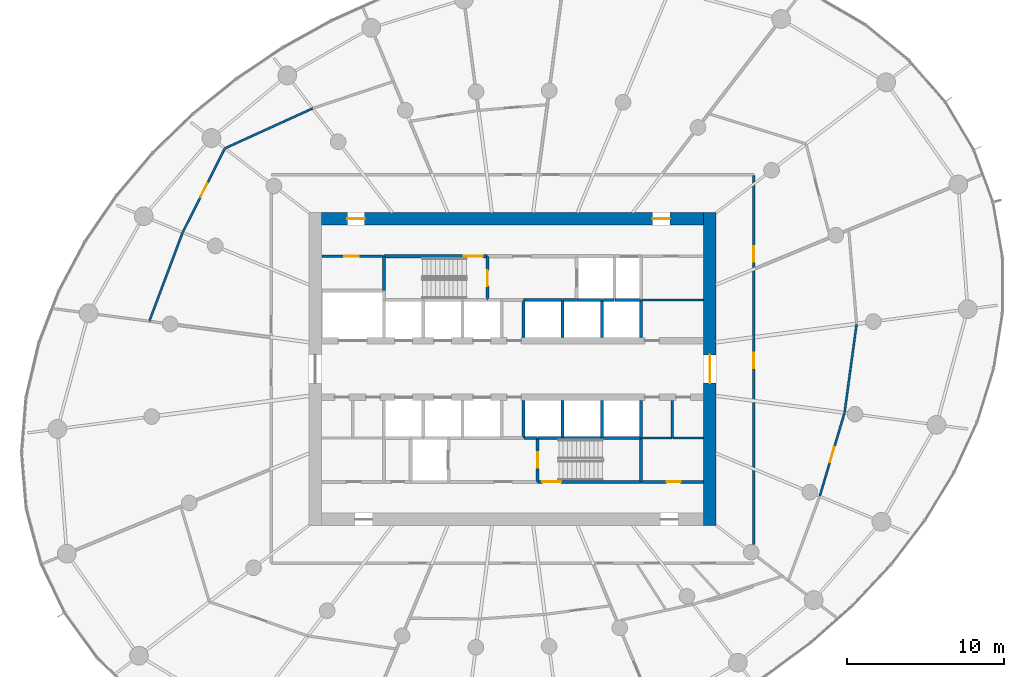
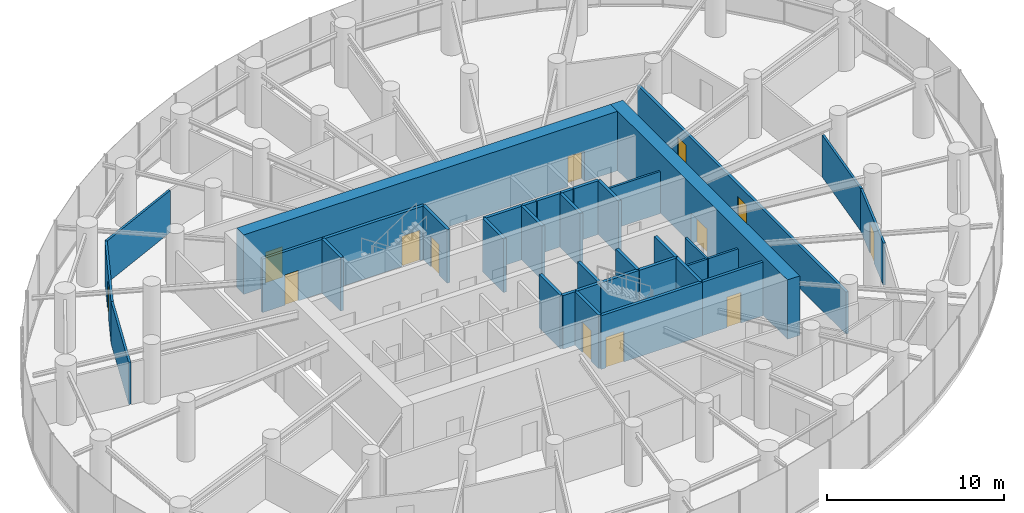
# One storey, part 12 of 17: 37 walls, 13 doors, 13 openings.
"""IFC4 building model written with IfcOpenShell, lengths in metres."""

from ifc_helpers import new_model, si_unit, direction, frame, frame_2d, origin, place, context, subcontext, project, spatial, rectangle, extrude, source, transform, mapped, material, layer, layer_set, type_object, element, fill, save


model = new_model("IFC4")

# Units and contexts
model_context = context("Model", 3, precision=1e-05, world=origin(), true_north=direction((0.0, 1.0)))
body_context = subcontext(model_context, "Body", "Model", "MODEL_VIEW")
ifc_project = project(units=[si_unit("LENGTHUNIT", "METRE"), si_unit("AREAUNIT", "SQUARE_METRE"), si_unit("VOLUMEUNIT", "CUBIC_METRE"), si_unit("PLANEANGLEUNIT", "RADIAN"), si_unit("MASSUNIT", "GRAM", prefix="KILO")], contexts=[model_context])

# Site, building, storey
site_placement = place(None, origin())
site = spatial("IfcSite", under=ifc_project, at=site_placement, CompositionType="ELEMENT")
building_placement = place(site_placement, origin())
building = spatial("IfcBuilding", under=site, at=building_placement, Name="Spindrift Exchange Tower", CompositionType="ELEMENT")
storey_placement = place(building_placement, frame((0.0, 0.0, 96.199951171875)))
storey = spatial("IfcBuildingStorey", under=building, at=storey_placement, Name="L22", CompositionType="ELEMENT", Elevation=96.199951171875)

# Wall, opening, door
ifc_material_1 = material(Name="Concrete 65 MPa", Category="concrete")
ifc_layer_1 = layer(ifc_material_1, 0.800048828125)
ifc_layer_set_1 = layer_set([ifc_layer_1], Name="RC Core Wall 800 Concrete 65 MPa")
wall_type_1 = type_object("IfcWallType", Name="RC Core Wall 800 Concrete 65 MPa", PredefinedType="SHEAR", material=ifc_layer_set_1)
wall_1_placement = place(storey_placement, frame((64.60009765625, 38.0, 0.0), z_axis=(0.0, 0.0, 1.0), x_axis=(0.0, 1.0, 0.0)))
wall_1 = element("IfcWall", 1, at=wall_1_placement, inside=storey, type_object=wall_type_1, Name="Core wall E L22", PredefinedType="SHEAR", context=body_context, shape_type="SweptSolid", body=[
    extrude(rectangle(XDim=20.0, YDim=0.800048828125, at=frame_2d((10.0, 0.0))), origin(), (0.0, 0.0, 1.0), 4.10009765625),
])
opening_1_placement = place(wall_1_placement, frame((9.10009765625, 0.0, 0.0)))
opening_1 = element("IfcOpeningElement", 2, at=opening_1_placement, cuts=wall_1, Name="Opening L22-D2", PredefinedType="OPENING", context=body_context, shape_type="SweptSolid", body=[
    extrude(rectangle(XDim=1.800048828125, YDim=2.10009765625, at=frame_2d((0.89990234375, 1.050048828125))), frame((0.0, 0.409912109375, 0.0), z_axis=(0.0, -1.0, 0.0), x_axis=(1.0, 0.0, 0.0)), (0.0, 0.0, 1.0), 0.820068359375),
])
ifc_material_2 = material(Name="Timber-core fire door", Category="wood")
door_type_1 = type_object("IfcDoorType", Name="DR-LOBBY-1800", OperationType="NOTDEFINED", PredefinedType="DOOR", material=ifc_material_2)
shared_shape_1 = source(origin(), body_context, "Body", "SweptSolid", [
    extrude(rectangle(XDim=1.800048828125, YDim=2.10009765625, at=frame_2d((0.89990234375, 1.050048828125))), frame((0.0, 0.02490234375, 0.0), z_axis=(0.0, -1.0, 0.0), x_axis=(1.0, 0.0, 0.0)), (0.0, 0.0, 1.0), 0.050048828125),
])
door_1_placement = place(opening_1_placement, origin())
door_1 = element("IfcDoor", 3, at=door_1_placement, inside=storey, type_object=door_type_1, Name="L22 Lobby door 2", OperationType="SINGLE_SWING_LEFT", OverallHeight=2.10009765625, OverallWidth=1.800048828125, PredefinedType="DOOR", context=body_context, shape_type="MappedRepresentation", body=[
    mapped(shared_shape_1, transform((0.0, 0.0, 0.0), scale=1.0)),
])
fill(opening_1, door_1)

# Wall, openings, doors
wall_2_placement = place(storey_placement, frame((64.199951171875, 57.60009765625, 0.0), z_axis=(0.0, 0.0, 1.0), x_axis=(-1.0, 0.0, 0.0)))
wall_2 = element("IfcWall", 4, at=wall_2_placement, inside=storey, type_object=wall_type_1, Name="Core wall N L22", PredefinedType="SHEAR", context=body_context, shape_type="SweptSolid", body=[
    extrude(rectangle(XDim=24.39990234375, YDim=0.800048828125, at=frame_2d((12.199951171875, 0.0))), origin(), (0.0, 0.0, 1.0), 4.10009765625),
])
opening_2_placement = place(wall_2_placement, frame((21.64990234375, 0.0, 0.0)))
opening_2 = element("IfcOpeningElement", 5, at=opening_2_placement, cuts=wall_2, Name="Opening L22-D20", PredefinedType="OPENING", context=body_context, shape_type="SweptSolid", body=[
    extrude(rectangle(XDim=1.10009765625, YDim=2.10009765625, at=frame_2d((0.550048828125, 1.050048828125))), frame((0.0, 0.409912109375, 0.0), z_axis=(0.0, -1.0, 0.0), x_axis=(1.0, 0.0, 0.0)), (0.0, 0.0, 1.0), 0.820068359375),
])
opening_3_placement = place(wall_2_placement, frame((2.14990234375, 0.0, 0.0)))
opening_3 = element("IfcOpeningElement", 6, at=opening_3_placement, cuts=wall_2, Name="Opening L22-D21", PredefinedType="OPENING", context=body_context, shape_type="SweptSolid", body=[
    extrude(rectangle(XDim=1.10009765625, YDim=2.10009765625, at=frame_2d((0.550048828125, 1.050048828125))), frame((0.0, 0.409912109375, 0.0), z_axis=(0.0, -1.0, 0.0), x_axis=(1.0, 0.0, 0.0)), (0.0, 0.0, 1.0), 0.820068359375),
])
ifc_material_3 = material(Name="Steel fire door", Category="steel")
door_type_2 = type_object("IfcDoorType", Name="DR-STAIR-1100", OperationType="NOTDEFINED", PredefinedType="DOOR", material=ifc_material_3)
shared_shape_2 = source(origin(), body_context, "Body", "SweptSolid", [
    extrude(rectangle(XDim=1.10009765625, YDim=2.10009765625, at=frame_2d((0.550048828125, 1.050048828125))), frame((0.0, 0.02490234375, 0.0), z_axis=(0.0, -1.0, 0.0), x_axis=(1.0, 0.0, 0.0)), (0.0, 0.0, 1.0), 0.050048828125),
])
door_2_placement = place(opening_2_placement, origin())
door_2 = element("IfcDoor", 7, at=door_2_placement, inside=storey, type_object=door_type_2, Name="L22 Stair door 20", OperationType="SINGLE_SWING_LEFT", OverallHeight=2.10009765625, OverallWidth=1.10009765625, PredefinedType="DOOR", context=body_context, shape_type="MappedRepresentation", body=[
    mapped(shared_shape_2, transform((0.0, 0.0, 0.0), scale=1.0)),
])
fill(opening_2, door_2)
door_3_placement = place(opening_3_placement, origin())
door_3 = element("IfcDoor", 8, at=door_3_placement, inside=storey, type_object=door_type_2, Name="L22 Stair door 21", OperationType="SINGLE_SWING_RIGHT", OverallHeight=2.10009765625, OverallWidth=1.10009765625, PredefinedType="DOOR", context=body_context, shape_type="MappedRepresentation", body=[
    mapped(shared_shape_2, transform((0.0, 0.0, 0.0), scale=1.0)),
])
fill(opening_3, door_3)

ifc_material_4 = material(Name="Fire-rated plasterboard partition", Category="gypsum")
ifc_layer_2 = layer(ifc_material_4, 0.179931640625)
ifc_layer_set_2 = layer_set([ifc_layer_2], Name="W-CORR-180")
wall_type_2 = type_object("IfcWallType", Name="W-CORR-180", PredefinedType="PARTITIONING", material=ifc_layer_set_2)
wall_3_placement = place(storey_placement, frame((67.39990234375, 60.3701171875, 0.0), z_axis=(0.0, 0.0, 1.0), x_axis=(0.0, -1.0, 0.0)))
wall_3 = element("IfcWall", 9, at=wall_3_placement, inside=storey, type_object=wall_type_2, Name="L22 Partition wall 59", PredefinedType="PARTITIONING", context=body_context, shape_type="SweptSolid", body=[
    extrude(rectangle(XDim=23.58251953125, YDim=0.179931640625, at=frame_2d((11.791259765625, 0.0))), origin(), (0.0, 0.0, 1.0), 2.900146484375),
])
opening_4_placement = place(wall_3_placement, frame((11.33251953125, 0.0, 0.0)))
opening_4 = element("IfcOpeningElement", 10, at=opening_4_placement, cuts=wall_3, Name="Opening L22-D27", PredefinedType="OPENING", context=body_context, shape_type="SweptSolid", body=[
    extrude(rectangle(XDim=1.0, YDim=2.10009765625, at=frame_2d((0.5, 1.050048828125))), frame((0.0, 0.099853515625, 0.0), z_axis=(0.0, -1.0, 0.0), x_axis=(1.0, 0.0, 0.0)), (0.0, 0.0, 1.0), 0.199951171875),
])
opening_5_placement = place(wall_3_placement, frame((4.532470703125, 0.0, 0.0)))
opening_5 = element("IfcOpeningElement", 11, at=opening_5_placement, cuts=wall_3, Name="Opening L22-D30", PredefinedType="OPENING", context=body_context, shape_type="SweptSolid", body=[
    extrude(rectangle(XDim=1.0, YDim=2.10009765625, at=frame_2d((0.5, 1.050048828125))), frame((0.0, 0.099853515625, 0.0), z_axis=(0.0, -1.0, 0.0), x_axis=(1.0, 0.0, 0.0)), (0.0, 0.0, 1.0), 0.199951171875),
])
door_type_3 = type_object("IfcDoorType", Name="DR-ROOM-1000", OperationType="NOTDEFINED", PredefinedType="DOOR", material=ifc_material_2)
shared_shape_3 = source(origin(), body_context, "Body", "SweptSolid", [
    extrude(rectangle(XDim=1.0, YDim=2.10009765625, at=frame_2d((0.5, 1.050048828125))), frame((0.0, 0.02490234375, 0.0), z_axis=(0.0, -1.0, 0.0), x_axis=(1.0, 0.0, 0.0)), (0.0, 0.0, 1.0), 0.050048828125),
])
door_4_placement = place(opening_4_placement, origin())
door_4 = element("IfcDoor", 12, at=door_4_placement, inside=storey, type_object=door_type_3, Name="L22 Door 27", OperationType="SINGLE_SWING_RIGHT", OverallHeight=2.10009765625, OverallWidth=1.0, PredefinedType="DOOR", context=body_context, shape_type="MappedRepresentation", body=[
    mapped(shared_shape_3, transform((0.0, 0.0, 0.0), scale=1.0)),
])
fill(opening_4, door_4)
door_5_placement = place(opening_5_placement, origin())
door_5 = element("IfcDoor", 13, at=door_5_placement, inside=storey, type_object=door_type_3, Name="L22 Door 30", OperationType="SINGLE_SWING_LEFT", OverallHeight=2.10009765625, OverallWidth=1.0, PredefinedType="DOOR", context=body_context, shape_type="MappedRepresentation", body=[
    mapped(shared_shape_3, transform((0.0, 0.0, 0.0), scale=1.0)),
])
fill(opening_5, door_5)

# Wall, opening, door
wall_4_placement = place(storey_placement, frame((60.22998046875, 40.800048828125, 0.0), z_axis=(0.0, 0.0, 1.0), x_axis=(1.0, 0.0, 0.0)))
wall_4 = element("IfcWall", 14, at=wall_4_placement, inside=storey, type_object=wall_type_2, Name="L22 Partition wall 61", PredefinedType="PARTITIONING", context=body_context, shape_type="SweptSolid", body=[
    extrude(rectangle(XDim=3.949951171875, YDim=0.179931640625, at=frame_2d((1.97509765625, 0.0))), origin(), (0.0, 0.0, 1.0), 3.699951171875),
])
opening_6_placement = place(wall_4_placement, frame((1.60009765625, 0.0, 0.0)))
opening_6 = element("IfcOpeningElement", 15, at=opening_6_placement, cuts=wall_4, Name="Opening L22-D49", PredefinedType="OPENING", context=body_context, shape_type="SweptSolid", body=[
    extrude(rectangle(XDim=0.89990234375, YDim=2.10009765625, at=frame_2d((0.449951171875, 1.050048828125))), frame((0.0, 0.099853515625, 0.0), z_axis=(0.0, -1.0, 0.0), x_axis=(1.0, 0.0, 0.0)), (0.0, 0.0, 1.0), 0.199951171875),
])
ifc_material_5 = material(Name="Steel access door", Category="steel")
door_type_4 = type_object("IfcDoorType", Name="DR-RISER-900", OperationType="NOTDEFINED", PredefinedType="DOOR", material=ifc_material_5)
shared_shape_4 = source(origin(), body_context, "Body", "SweptSolid", [
    extrude(rectangle(XDim=0.89990234375, YDim=2.10009765625, at=frame_2d((0.449951171875, 1.050048828125))), frame((0.0, 0.02490234375, 0.0), z_axis=(0.0, -1.0, 0.0), x_axis=(1.0, 0.0, 0.0)), (0.0, 0.0, 1.0), 0.050048828125),
])
door_6_placement = place(opening_6_placement, origin())
door_6 = element("IfcDoor", 16, at=door_6_placement, inside=storey, type_object=door_type_4, Name="L22 Riser door 49", OperationType="SINGLE_SWING_RIGHT", OverallHeight=2.10009765625, OverallWidth=0.89990234375, PredefinedType="DOOR", context=body_context, shape_type="MappedRepresentation", body=[
    mapped(shared_shape_4, transform((0.0, 0.0, 0.0), scale=1.0)),
])
fill(opening_6, door_6)

wall_5_placement = place(storey_placement, frame((43.77001953125, 55.199951171875, 0.0), z_axis=(0.0, 0.0, 1.0), x_axis=(-1.0, 0.0, 0.0)))
wall_5 = element("IfcWall", 17, at=wall_5_placement, inside=storey, type_object=wall_type_2, Name="L22 Partition wall 64", PredefinedType="PARTITIONING", context=body_context, shape_type="SweptSolid", body=[
    extrude(rectangle(XDim=3.949951171875, YDim=0.179931640625, at=frame_2d((1.97509765625, 0.0))), origin(), (0.0, 0.0, 1.0), 3.699951171875),
])
opening_7_placement = place(wall_5_placement, frame((1.60009765625, 0.0, 0.0)))
opening_7 = element("IfcOpeningElement", 18, at=opening_7_placement, cuts=wall_5, Name="Opening L22-D43", PredefinedType="OPENING", context=body_context, shape_type="SweptSolid", body=[
    extrude(rectangle(XDim=0.89990234375, YDim=2.10009765625, at=frame_2d((0.449951171875, 1.050048828125))), frame((0.0, 0.099853515625, 0.0), z_axis=(0.0, -1.0, 0.0), x_axis=(1.0, 0.0, 0.0)), (0.0, 0.0, 1.0), 0.199951171875),
])
door_7_placement = place(opening_7_placement, origin())
door_7 = element("IfcDoor", 19, at=door_7_placement, inside=storey, type_object=door_type_4, Name="L22 Riser door 43", OperationType="SINGLE_SWING_RIGHT", OverallHeight=2.10009765625, OverallWidth=0.89990234375, PredefinedType="DOOR", context=body_context, shape_type="MappedRepresentation", body=[
    mapped(shared_shape_4, transform((0.0, 0.0, 0.0), scale=1.0)),
])
fill(opening_7, door_7)

# Walls
ifc_layer_3 = layer(ifc_material_4, 0.139892578125)
ifc_layer_set_3 = layer_set([ifc_layer_3], Name="W-PART-140")
wall_type_3 = type_object("IfcWallType", Name="W-PART-140", PredefinedType="PARTITIONING", material=ifc_layer_set_3)
wall_6_placement = place(storey_placement, frame((64.179931640625, 52.39990234375, 0.0), z_axis=(0.0, 0.0, 1.0), x_axis=(-1.0, 0.0, 0.0)))
element("IfcWall", 20, at=wall_6_placement, inside=storey, type_object=wall_type_3, Name="L22 Partition wall 99", PredefinedType="PARTITIONING", context=body_context, shape_type="SweptSolid", body=[
    extrude(rectangle(XDim=3.949951171875, YDim=0.139892578125, at=frame_2d((1.97509765625, 0.0))), origin(), (0.0, 0.0, 1.0), 2.900146484375),
])
wall_7_placement = place(storey_placement, frame((62.199951171875, 43.60009765625, 0.0), z_axis=(0.0, 0.0, 1.0), x_axis=(0.0, 1.0, 0.0)))
element("IfcWall", 21, at=wall_7_placement, inside=storey, type_object=wall_type_3, Name="L22 Partition wall 107", PredefinedType="PARTITIONING", context=body_context, shape_type="SweptSolid", body=[
    extrude(rectangle(XDim=2.389892578125, YDim=0.139892578125, at=frame_2d((1.19482421875, 0.0))), origin(), (0.0, 0.0, 1.0), 2.900146484375),
])
wall_8_placement = place(storey_placement, frame((60.22998046875, 43.60009765625, 0.0), z_axis=(0.0, 0.0, 1.0), x_axis=(1.0, 0.0, 0.0)))
element("IfcWall", 22, at=wall_8_placement, inside=storey, type_object=wall_type_3, Name="L22 Partition wall 109", PredefinedType="PARTITIONING", context=body_context, shape_type="SweptSolid", body=[
    extrude(rectangle(XDim=1.93994140625, YDim=0.139892578125, at=frame_2d((0.969970703125, 0.0))), origin(), (0.0, 0.0, 1.0), 2.900146484375),
])
wall_9_placement = place(storey_placement, frame((62.22998046875, 43.60009765625, 0.0), z_axis=(0.0, 0.0, 1.0), x_axis=(1.0, 0.0, 0.0)))
element("IfcWall", 23, at=wall_9_placement, inside=storey, type_object=wall_type_3, Name="L22 Partition wall 110", PredefinedType="PARTITIONING", context=body_context, shape_type="SweptSolid", body=[
    extrude(rectangle(XDim=1.949951171875, YDim=0.139892578125, at=frame_2d((0.97509765625, 0.0))), origin(), (0.0, 0.0, 1.0), 2.900146484375),
])
ifc_layer_4 = layer(ifc_material_4, 0.139892578125)
ifc_layer_set_4 = layer_set([ifc_layer_4], Name="W-PLANT-140")
wall_type_4 = type_object("IfcWallType", Name="W-PLANT-140", PredefinedType="PARTITIONING", material=ifc_layer_set_4)
wall_10_placement = place(storey_placement, frame((39.23388671875, 64.63720703125, 0.0), z_axis=(0.0, 0.0, 1.0), x_axis=(-0.910171936686, -0.414230667224, 0.0)))
element("IfcWall", 24, at=wall_10_placement, inside=storey, type_object=wall_type_4, Name="L22 Partition wall 72", PredefinedType="PARTITIONING", context=body_context, shape_type="SweptSolid", body=[
    extrude(rectangle(XDim=6.14892578125, YDim=0.139892578125, at=frame_2d((3.074462890625, 0.0))), origin(), (0.0, 0.0, 1.0), 2.900146484375),
])
wall_11_placement = place(storey_placement, frame((30.94091796875, 56.722900390625, 0.0), z_axis=(0.0, 0.0, 1.0), x_axis=(-0.351569554584, -0.936161763954, 0.0)))
element("IfcWall", 25, at=wall_11_placement, inside=storey, type_object=wall_type_4, Name="L22 Partition wall 73", PredefinedType="PARTITIONING", context=body_context, shape_type="SweptSolid", body=[
    extrude(rectangle(XDim=6.056884765625, YDim=0.139892578125, at=frame_2d((3.0283203125, 0.0))), origin(), (0.0, 0.0, 1.0), 2.900146484375),
])

# Wall, opening, door
wall_12_placement = place(storey_placement, frame((30.954345703125, 56.749755859375, 0.0), z_axis=(0.0, 0.0, 1.0), x_axis=(0.448904295409, 0.89357984174, 0.0)))
wall_12 = element("IfcWall", 26, at=wall_12_placement, inside=storey, type_object=wall_type_4, Name="L22 Partition wall 76", PredefinedType="PARTITIONING", context=body_context, shape_type="SweptSolid", body=[
    extrude(rectangle(XDim=5.946533203125, YDim=0.139892578125, at=frame_2d((2.97314453125, 0.0))), origin(), (0.0, 0.0, 1.0), 2.900146484375),
])
opening_8_placement = place(wall_12_placement, frame((2.49658203125, 0.0, 0.0)))
opening_8 = element("IfcOpeningElement", 27, at=opening_8_placement, cuts=wall_12, Name="Opening L22-D37", PredefinedType="OPENING", context=body_context, shape_type="SweptSolid", body=[
    extrude(rectangle(XDim=1.0, YDim=2.10009765625, at=frame_2d((0.5, 1.050048828125))), frame((0.0, 0.079833984375, 0.0), z_axis=(0.0, -1.0, 0.0), x_axis=(1.0, 0.0, 0.0)), (0.0, 0.0, 1.0), 0.159912109375),
])
door_8_placement = place(opening_8_placement, origin())
door_8 = element("IfcDoor", 28, at=door_8_placement, inside=storey, type_object=door_type_3, Name="L22 Door 37", OperationType="SINGLE_SWING_RIGHT", OverallHeight=2.10009765625, OverallWidth=1.0, PredefinedType="DOOR", context=body_context, shape_type="MappedRepresentation", body=[
    mapped(shared_shape_3, transform((0.0, 0.0, 0.0), scale=1.0)),
])
fill(opening_8, door_8)

# Wall
wall_13_placement = place(storey_placement, frame((73.19384765625, 45.209716796875, 0.0), z_axis=(0.0, 0.0, 1.0), x_axis=(0.134605146381, 0.99089931606, 0.0)))
element("IfcWall", 29, at=wall_13_placement, inside=storey, type_object=wall_type_4, Name="L22 Partition wall 80", PredefinedType="PARTITIONING", context=body_context, shape_type="SweptSolid", body=[
    extrude(rectangle(XDim=5.704345703125, YDim=0.139892578125, at=frame_2d((2.85205078125, 0.0))), origin(), (0.0, 0.0, 1.0), 2.900146484375),
])

# Wall, opening, door
wall_14_placement = place(storey_placement, frame((73.185302734375, 45.18115234375, 0.0), z_axis=(0.0, 0.0, 1.0), x_axis=(-0.284737802329, -0.958605437041, 0.0)))
wall_14 = element("IfcWall", 30, at=wall_14_placement, inside=storey, type_object=wall_type_4, Name="L22 Partition wall 83", PredefinedType="PARTITIONING", context=body_context, shape_type="SweptSolid", body=[
    extrude(rectangle(XDim=5.5029296875, YDim=0.139892578125, at=frame_2d((2.75146484375, 0.0))), origin(), (0.0, 0.0, 1.0), 2.900146484375),
])
opening_9_placement = place(wall_14_placement, frame((2.252685546875, 0.0, 0.0)))
opening_9 = element("IfcOpeningElement", 31, at=opening_9_placement, cuts=wall_14, Name="Opening L22-D28", PredefinedType="OPENING", context=body_context, shape_type="SweptSolid", body=[
    extrude(rectangle(XDim=1.0, YDim=2.10009765625, at=frame_2d((0.5, 1.050048828125))), frame((0.0, 0.079833984375, 0.0), z_axis=(0.0, -1.0, 0.0), x_axis=(1.0, 0.0, 0.0)), (0.0, 0.0, 1.0), 0.159912109375),
])
door_9_placement = place(opening_9_placement, origin())
door_9 = element("IfcDoor", 32, at=door_9_placement, inside=storey, type_object=door_type_3, Name="L22 Door 28", OperationType="SINGLE_SWING_LEFT", OverallHeight=2.10009765625, OverallWidth=1.0, PredefinedType="DOOR", context=body_context, shape_type="MappedRepresentation", body=[
    mapped(shared_shape_3, transform((0.0, 0.0, 0.0), scale=1.0)),
])
fill(opening_9, door_9)

# Walls
ifc_material_6 = material(Name="Concrete 40 MPa", Category="concrete")
ifc_layer_5 = layer(ifc_material_6, 0.199951171875)
ifc_layer_set_5 = layer_set([ifc_layer_5], Name="W-SHAFT-200")
wall_type_5 = type_object("IfcWallType", Name="W-SHAFT-200", PredefinedType="SOLIDWALL", material=ifc_layer_set_5)
wall_15_placement = place(storey_placement, frame((55.199951171875, 52.39990234375, 0.0), z_axis=(0.0, 0.0, 1.0), x_axis=(-1.0, 0.0, 0.0)))
element("IfcWall", 33, at=wall_15_placement, inside=storey, type_object=wall_type_5, Name="L22 Shaft wall 18", PredefinedType="SOLIDWALL", context=body_context, shape_type="SweptSolid", body=[
    extrude(rectangle(XDim=2.5, YDim=0.199951171875, at=frame_2d((1.25, 0.0))), origin(), (0.0, 0.0, 1.0), 3.699951171875),
])
wall_16_placement = place(storey_placement, frame((52.699951171875, 45.989990234375, 0.0), z_axis=(0.0, 0.0, 1.0), x_axis=(0.0, -1.0, 0.0)))
element("IfcWall", 34, at=wall_16_placement, inside=storey, type_object=wall_type_5, Name="L22 Shaft wall 31", PredefinedType="SOLIDWALL", context=body_context, shape_type="SweptSolid", body=[
    extrude(rectangle(XDim=2.389892578125, YDim=0.199951171875, at=frame_2d((1.19482421875, 0.0))), origin(), (0.0, 0.0, 1.0), 3.699951171875),
])
for number, where, z_axis, x_axis, name in (
    (35, (52.699951171875, 52.3701171875, 0.0), (0.0, 0.0, 1.0), (0.0, -1.0, 0.0), "L22 Shaft wall 32"),
    (36, (55.199951171875, 50.010009765625, 0.0), (0.0, 0.0, 1.0), (0.0, 1.0, 0.0), "L22 Shaft wall 34"),
):
    element("IfcWall", number, at=place(storey_placement, frame(where, z_axis=z_axis, x_axis=x_axis)), inside=storey, type_object=wall_type_5, Name=name, PredefinedType="SOLIDWALL", context=body_context, shape_type="SweptSolid", body=[
        extrude(rectangle(XDim=2.360107421875, YDim=0.199951171875, at=frame_2d((1.18017578125, 0.0))), origin(), (0.0, 0.0, 1.0), 3.699951171875),
    ])
wall_17_placement = place(storey_placement, frame((57.699951171875, 50.010009765625, 0.0), z_axis=(0.0, 0.0, 1.0), x_axis=(0.0, 1.0, 0.0)))
element("IfcWall", 37, at=wall_17_placement, inside=storey, type_object=wall_type_5, Name="L22 Shaft wall 36", PredefinedType="SOLIDWALL", context=body_context, shape_type="SweptSolid", body=[
    extrude(rectangle(XDim=2.389892578125, YDim=0.199951171875, at=frame_2d((1.19482421875, 0.0))), origin(), (0.0, 0.0, 1.0), 3.699951171875),
])
wall_18_placement = place(storey_placement, frame((60.199951171875, 50.010009765625, 0.0), z_axis=(0.0, 0.0, 1.0), x_axis=(0.0, 1.0, 0.0)))
element("IfcWall", 38, at=wall_18_placement, inside=storey, type_object=wall_type_5, Name="L22 Shaft wall 38", PredefinedType="SOLIDWALL", context=body_context, shape_type="SweptSolid", body=[
    extrude(rectangle(XDim=2.360107421875, YDim=0.199951171875, at=frame_2d((1.18017578125, 0.0))), origin(), (0.0, 0.0, 1.0), 3.699951171875),
])
wall_19_placement = place(storey_placement, frame((60.169921875, 52.39990234375, 0.0), z_axis=(0.0, 0.0, 1.0), x_axis=(-1.0, 0.0, 0.0)))
element("IfcWall", 39, at=wall_19_placement, inside=storey, type_object=wall_type_5, Name="L22 Shaft wall 42", PredefinedType="SOLIDWALL", context=body_context, shape_type="SweptSolid", body=[
    extrude(rectangle(XDim=1.639892578125, YDim=0.199951171875, at=frame_2d((0.81982421875, 0.0))), origin(), (0.0, 0.0, 1.0), 3.699951171875),
])
wall_20_placement = place(storey_placement, frame((57.669921875, 52.39990234375, 0.0), z_axis=(0.0, 0.0, 1.0), x_axis=(-1.0, 0.0, 0.0)))
element("IfcWall", 40, at=wall_20_placement, inside=storey, type_object=wall_type_5, Name="L22 Shaft wall 47", PredefinedType="SOLIDWALL", context=body_context, shape_type="SweptSolid", body=[
    extrude(rectangle(XDim=1.5400390625, YDim=0.199951171875, at=frame_2d((0.77001953125, 0.0))), origin(), (0.0, 0.0, 1.0), 3.699951171875),
])
wall_21_placement = place(storey_placement, frame((56.070068359375, 52.39990234375, 0.0), z_axis=(0.0, 0.0, 1.0), x_axis=(-1.0, 0.0, 0.0)))
element("IfcWall", 41, at=wall_21_placement, inside=storey, type_object=wall_type_5, Name="L22 Shaft wall 53", PredefinedType="SOLIDWALL", context=body_context, shape_type="SweptSolid", body=[
    extrude(rectangle(XDim=0.840087890625, YDim=0.199951171875, at=frame_2d((0.419921875, 0.0))), origin(), (0.0, 0.0, 1.0), 3.699951171875),
])
wall_22_placement = place(storey_placement, frame((58.469970703125, 52.39990234375, 0.0), z_axis=(0.0, 0.0, 1.0), x_axis=(-1.0, 0.0, 0.0)))
element("IfcWall", 42, at=wall_22_placement, inside=storey, type_object=wall_type_5, Name="L22 Shaft wall 55", PredefinedType="SOLIDWALL", context=body_context, shape_type="SweptSolid", body=[
    extrude(rectangle(XDim=0.739990234375, YDim=0.199951171875, at=frame_2d((0.3701171875, 0.0))), origin(), (0.0, 0.0, 1.0), 3.699951171875),
])

# Wall, opening, door
ifc_layer_6 = layer(ifc_material_6, 0.199951171875)
ifc_layer_set_6 = layer_set([ifc_layer_6], Name="W-SHAFT-200-LB")
wall_type_6 = type_object("IfcWallType", Name="W-SHAFT-200-LB", PredefinedType="SOLIDWALL", material=ifc_layer_set_6)
wall_23_placement = place(storey_placement, frame((50.39990234375, 55.199951171875, 0.0), z_axis=(0.0, 0.0, 1.0), x_axis=(-1.0, 0.0, 0.0)))
wall_23 = element("IfcWall", 43, at=wall_23_placement, inside=storey, type_object=wall_type_6, Name="L22 Shaft wall 1", PredefinedType="SOLIDWALL", context=body_context, shape_type="SweptSolid", body=[
    extrude(rectangle(XDim=6.599853515625, YDim=0.199951171875, at=frame_2d((3.2998046875, 0.0))), origin(), (0.0, 0.0, 1.0), 3.699951171875),
])
opening_10_placement = place(wall_23_placement, frame((0.300048828125, 0.0, 0.0)))
opening_10 = element("IfcOpeningElement", 44, at=opening_10_placement, cuts=wall_23, Name="Opening L22-D13", PredefinedType="OPENING", context=body_context, shape_type="SweptSolid", body=[
    extrude(rectangle(XDim=1.199951171875, YDim=2.10009765625, at=frame_2d((0.60009765625, 1.050048828125))), frame((0.0, 0.10986328125, 0.0), z_axis=(0.0, -1.0, 0.0), x_axis=(1.0, 0.0, 0.0)), (0.0, 0.0, 1.0), 0.219970703125),
])
door_type_5 = type_object("IfcDoorType", Name="DR-STAIR-1200", OperationType="NOTDEFINED", PredefinedType="DOOR", material=ifc_material_3)
shared_shape_5 = source(origin(), body_context, "Body", "SweptSolid", [
    extrude(rectangle(XDim=1.199951171875, YDim=2.10009765625, at=frame_2d((0.60009765625, 1.050048828125))), frame((0.0, 0.02490234375, 0.0), z_axis=(0.0, -1.0, 0.0), x_axis=(1.0, 0.0, 0.0)), (0.0, 0.0, 1.0), 0.050048828125),
])
door_10_placement = place(opening_10_placement, origin())
door_10 = element("IfcDoor", 45, at=door_10_placement, inside=storey, type_object=door_type_5, Name="L22 Stair door 13", OperationType="SINGLE_SWING_RIGHT", OverallHeight=2.10009765625, OverallWidth=1.199951171875, PredefinedType="DOOR", context=body_context, shape_type="MappedRepresentation", body=[
    mapped(shared_shape_5, transform((0.0, 0.0, 0.0), scale=1.0)),
])
fill(opening_10, door_10)

wall_24_placement = place(storey_placement, frame((53.60009765625, 40.800048828125, 0.0), z_axis=(0.0, 0.0, 1.0), x_axis=(1.0, 0.0, 0.0)))
wall_24 = element("IfcWall", 46, at=wall_24_placement, inside=storey, type_object=wall_type_6, Name="L22 Shaft wall 2", PredefinedType="SOLIDWALL", context=body_context, shape_type="SweptSolid", body=[
    extrude(rectangle(XDim=6.599853515625, YDim=0.199951171875, at=frame_2d((3.2998046875, 0.0))), origin(), (0.0, 0.0, 1.0), 3.699951171875),
])
opening_11_placement = place(wall_24_placement, frame((0.300048828125, 0.0, 0.0)))
opening_11 = element("IfcOpeningElement", 47, at=opening_11_placement, cuts=wall_24, Name="Opening L22-D16", PredefinedType="OPENING", context=body_context, shape_type="SweptSolid", body=[
    extrude(rectangle(XDim=1.199951171875, YDim=2.10009765625, at=frame_2d((0.60009765625, 1.050048828125))), frame((0.0, 0.10986328125, 0.0), z_axis=(0.0, -1.0, 0.0), x_axis=(1.0, 0.0, 0.0)), (0.0, 0.0, 1.0), 0.219970703125),
])
door_11_placement = place(opening_11_placement, origin())
door_11 = element("IfcDoor", 48, at=door_11_placement, inside=storey, type_object=door_type_5, Name="L22 Stair door 16", OperationType="SINGLE_SWING_LEFT", OverallHeight=2.10009765625, OverallWidth=1.199951171875, PredefinedType="DOOR", context=body_context, shape_type="MappedRepresentation", body=[
    mapped(shared_shape_5, transform((0.0, 0.0, 0.0), scale=1.0)),
])
fill(opening_11, door_11)

wall_25_placement = place(storey_placement, frame((50.39990234375, 52.39990234375, 0.0), z_axis=(0.0, 0.0, 1.0), x_axis=(0.0, 1.0, 0.0)))
wall_25 = element("IfcWall", 49, at=wall_25_placement, inside=storey, type_object=wall_type_6, Name="L22 Shaft wall 9", PredefinedType="SOLIDWALL", context=body_context, shape_type="SweptSolid", body=[
    extrude(rectangle(XDim=2.77001953125, YDim=0.199951171875, at=frame_2d((1.385009765625, 0.0))), origin(), (0.0, 0.0, 1.0), 3.699951171875),
])
opening_12_placement = place(wall_25_placement, frame((0.89990234375, 0.0, 0.0)))
opening_12 = element("IfcOpeningElement", 50, at=opening_12_placement, cuts=wall_25, Name="Opening L22-D14", PredefinedType="OPENING", context=body_context, shape_type="SweptSolid", body=[
    extrude(rectangle(XDim=1.0, YDim=2.10009765625, at=frame_2d((0.5, 1.050048828125))), frame((0.0, 0.10986328125, 0.0), z_axis=(0.0, -1.0, 0.0), x_axis=(1.0, 0.0, 0.0)), (0.0, 0.0, 1.0), 0.219970703125),
])
door_type_6 = type_object("IfcDoorType", Name="DR-STAIR-1000", OperationType="NOTDEFINED", PredefinedType="DOOR", material=ifc_material_3)
shared_shape_6 = source(origin(), body_context, "Body", "SweptSolid", [
    extrude(rectangle(XDim=1.0, YDim=2.10009765625, at=frame_2d((0.5, 1.050048828125))), frame((0.0, 0.02490234375, 0.0), z_axis=(0.0, -1.0, 0.0), x_axis=(1.0, 0.0, 0.0)), (0.0, 0.0, 1.0), 0.050048828125),
])
door_12_placement = place(opening_12_placement, origin())
door_12 = element("IfcDoor", 51, at=door_12_placement, inside=storey, type_object=door_type_6, Name="L22 Stair door 14", OperationType="SINGLE_SWING_LEFT", OverallHeight=2.10009765625, OverallWidth=1.0, PredefinedType="DOOR", context=body_context, shape_type="MappedRepresentation", body=[
    mapped(shared_shape_6, transform((0.0, 0.0, 0.0), scale=1.0)),
])
fill(opening_12, door_12)

# Wall
wall_26_placement = place(storey_placement, frame((60.199951171875, 40.830078125, 0.0), z_axis=(0.0, 0.0, 1.0), x_axis=(0.0, 1.0, 0.0)))
element("IfcWall", 52, at=wall_26_placement, inside=storey, type_object=wall_type_6, Name="L22 Shaft wall 10", PredefinedType="SOLIDWALL", context=body_context, shape_type="SweptSolid", body=[
    extrude(rectangle(XDim=2.77001953125, YDim=0.199951171875, at=frame_2d((1.385009765625, 0.0))), origin(), (0.0, 0.0, 1.0), 3.699951171875),
])

# Wall, opening, door
wall_27_placement = place(storey_placement, frame((53.60009765625, 43.60009765625, 0.0), z_axis=(0.0, 0.0, 1.0), x_axis=(0.0, -1.0, 0.0)))
wall_27 = element("IfcWall", 53, at=wall_27_placement, inside=storey, type_object=wall_type_6, Name="L22 Shaft wall 11", PredefinedType="SOLIDWALL", context=body_context, shape_type="SweptSolid", body=[
    extrude(rectangle(XDim=2.77001953125, YDim=0.199951171875, at=frame_2d((1.385009765625, 0.0))), origin(), (0.0, 0.0, 1.0), 3.699951171875),
])
opening_13_placement = place(wall_27_placement, frame((0.89990234375, 0.0, 0.0)))
opening_13 = element("IfcOpeningElement", 54, at=opening_13_placement, cuts=wall_27, Name="Opening L22-D17", PredefinedType="OPENING", context=body_context, shape_type="SweptSolid", body=[
    extrude(rectangle(XDim=1.0, YDim=2.10009765625, at=frame_2d((0.5, 1.050048828125))), frame((0.0, 0.10986328125, 0.0), z_axis=(0.0, -1.0, 0.0), x_axis=(1.0, 0.0, 0.0)), (0.0, 0.0, 1.0), 0.219970703125),
])
door_13_placement = place(opening_13_placement, origin())
door_13 = element("IfcDoor", 55, at=door_13_placement, inside=storey, type_object=door_type_6, Name="L22 Stair door 17", OperationType="SINGLE_SWING_RIGHT", OverallHeight=2.10009765625, OverallWidth=1.0, PredefinedType="DOOR", context=body_context, shape_type="MappedRepresentation", body=[
    mapped(shared_shape_6, transform((0.0, 0.0, 0.0), scale=1.0)),
])
fill(opening_13, door_13)

# Walls
wall_28_placement = place(storey_placement, frame((55.199951171875, 43.60009765625, 0.0), z_axis=(0.0, 0.0, 1.0), x_axis=(1.0, 0.0, 0.0)))
element("IfcWall", 56, at=wall_28_placement, inside=storey, type_object=wall_type_6, Name="L22 Shaft wall 19", PredefinedType="SOLIDWALL", context=body_context, shape_type="SweptSolid", body=[
    extrude(rectangle(XDim=2.5, YDim=0.199951171875, at=frame_2d((1.25, 0.0))), origin(), (0.0, 0.0, 1.0), 3.699951171875),
])
wall_29_placement = place(storey_placement, frame((57.72998046875, 43.60009765625, 0.0), z_axis=(0.0, 0.0, 1.0), x_axis=(1.0, 0.0, 0.0)))
element("IfcWall", 57, at=wall_29_placement, inside=storey, type_object=wall_type_6, Name="L22 Shaft wall 20", PredefinedType="SOLIDWALL", context=body_context, shape_type="SweptSolid", body=[
    extrude(rectangle(XDim=2.43994140625, YDim=0.199951171875, at=frame_2d((1.219970703125, 0.0))), origin(), (0.0, 0.0, 1.0), 3.699951171875),
])
for number, where, z_axis, x_axis, name in (
    (58, (55.199951171875, 43.6298828125, 0.0), (0.0, 0.0, 1.0), (0.0, 1.0, 0.0), "L22 Shaft wall 33"),
    (59, (57.699951171875, 43.6298828125, 0.0), (0.0, 0.0, 1.0), (0.0, 1.0, 0.0), "L22 Shaft wall 35"),
    (60, (60.199951171875, 43.6298828125, 0.0), (0.0, 0.0, 1.0), (0.0, 1.0, 0.0), "L22 Shaft wall 37"),
):
    element("IfcWall", number, at=place(storey_placement, frame(where, z_axis=z_axis, x_axis=x_axis)), inside=storey, type_object=wall_type_6, Name=name, PredefinedType="SOLIDWALL", context=body_context, shape_type="SweptSolid", body=[
        extrude(rectangle(XDim=2.360107421875, YDim=0.199951171875, at=frame_2d((1.18017578125, 0.0))), origin(), (0.0, 0.0, 1.0), 3.699951171875),
    ])
wall_30_placement = place(storey_placement, frame((43.800048828125, 55.169921875, 0.0), z_axis=(0.0, 0.0, 1.0), x_axis=(0.0, -1.0, 0.0)))
element("IfcWall", 61, at=wall_30_placement, inside=storey, type_object=wall_type_6, Name="L22 Shaft wall 39", PredefinedType="SOLIDWALL", context=body_context, shape_type="SweptSolid", body=[
    extrude(rectangle(XDim=2.139892578125, YDim=0.199951171875, at=frame_2d((1.06982421875, 0.0))), origin(), (0.0, 0.0, 1.0), 3.699951171875),
])
wall_31_placement = place(storey_placement, frame((53.6298828125, 43.60009765625, 0.0), z_axis=(0.0, 0.0, 1.0), x_axis=(1.0, 0.0, 0.0)))
element("IfcWall", 62, at=wall_31_placement, inside=storey, type_object=wall_type_6, Name="L22 Shaft wall 46", PredefinedType="SOLIDWALL", context=body_context, shape_type="SweptSolid", body=[
    extrude(rectangle(XDim=1.5400390625, YDim=0.199951171875, at=frame_2d((0.77001953125, 0.0))), origin(), (0.0, 0.0, 1.0), 3.699951171875),
])
wall_32_placement = place(storey_placement, frame((52.72998046875, 43.60009765625, 0.0), z_axis=(0.0, 0.0, 1.0), x_axis=(1.0, 0.0, 0.0)))
element("IfcWall", 63, at=wall_32_placement, inside=storey, type_object=wall_type_6, Name="L22 Shaft wall 52", PredefinedType="SOLIDWALL", context=body_context, shape_type="SweptSolid", body=[
    extrude(rectangle(XDim=0.840087890625, YDim=0.199951171875, at=frame_2d((0.419921875, 0.0))), origin(), (0.0, 0.0, 1.0), 3.699951171875),
])

save(model, "model.ifc")
